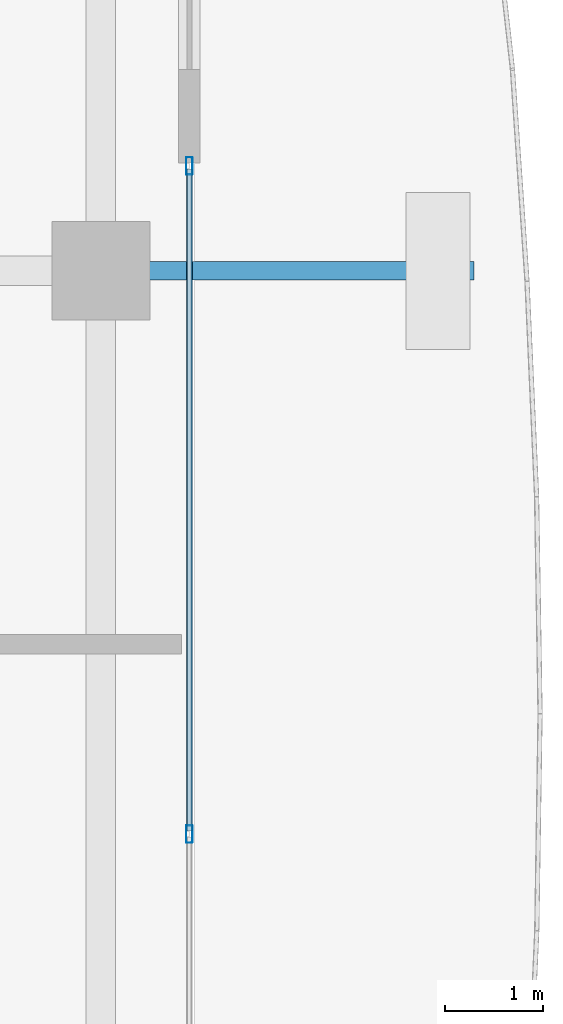
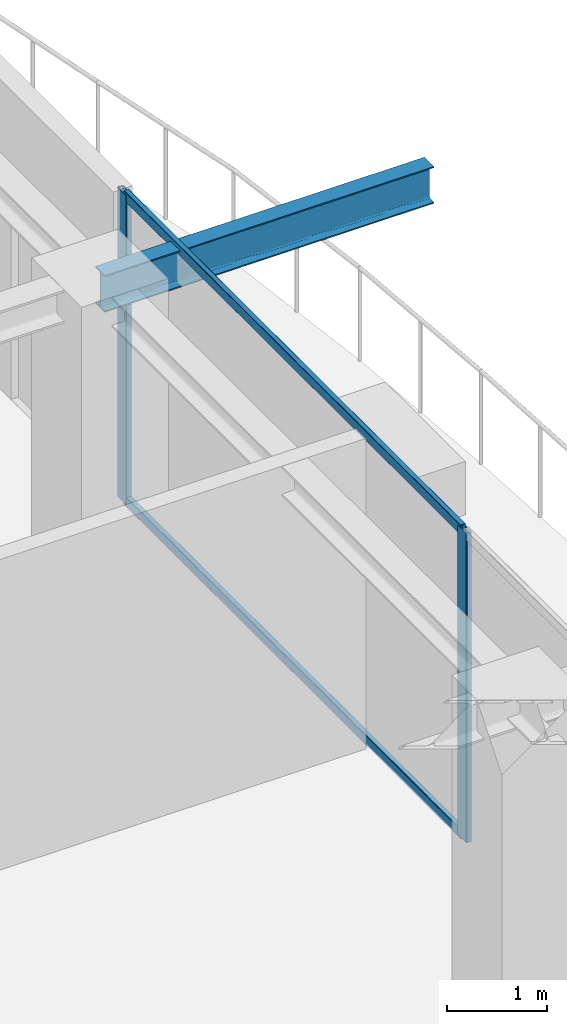
# One storey, part 18 of 42: 4 members, 1 beam, 1 element without a shape of its own.
"""IFC4 building model written with IfcOpenShell, lengths in metres."""

from ifc_helpers import new_model, si_unit, direction, frame, origin, origin_2d, place, context, subcontext, project, spatial, hollow_rectangle, i_section, extrude, source, transform, mapped, material, layer, layer_set, material_profile, profile_set, type_object, element, aggregate, save


model = new_model("IFC4")

# Units and contexts
model_context = context("Model", 3, precision=1e-05, world=origin(), true_north=direction((0.0, 1.0)))
body_context = subcontext(model_context, "Body", "Model", "MODEL_VIEW")
ifc_project = project(units=[si_unit("LENGTHUNIT", "METRE"), si_unit("AREAUNIT", "SQUARE_METRE"), si_unit("VOLUMEUNIT", "CUBIC_METRE"), si_unit("PLANEANGLEUNIT", "RADIAN"), si_unit("MASSUNIT", "GRAM", prefix="KILO")], contexts=[model_context])

# Site, building, storey
site_placement = place(None, origin())
site = spatial("IfcSite", under=ifc_project, at=site_placement, CompositionType="ELEMENT")
building_placement = place(site_placement, origin())
building = spatial("IfcBuilding", under=site, at=building_placement, Name="Serunith Strait Residences", CompositionType="ELEMENT")
storey_placement = place(building_placement, frame((0.0, 0.0, 309.64990234375)))
storey = spatial("IfcBuildingStorey", under=building, at=storey_placement, Name="L77", CompositionType="ELEMENT", Elevation=309.64990234375)

# Beam
ifc_material_1 = material(Name="Steel S355J2", Category="steel")
ifc_material_profile_1 = material_profile(ifc_material_1, i_section(OverallWidth=0.18994140625, OverallDepth=0.449951171875, WebThickness=0.009521484375, FlangeThickness=0.0146484375, FilletRadius=0.02099609375, at=origin_2d()), Name="IPE 450")
ifc_profile_set_1 = profile_set([ifc_material_profile_1], Name="Steel S355J2")
beam_type = type_object("IfcBeamType", Name="BM-IPE450", PredefinedType="JOIST", material=ifc_profile_set_1)
shared_shape_1 = source(origin(), body_context, "Body", "SweptSolid", [
    extrude(i_section(OverallWidth=0.18994140625, OverallDepth=0.449951171875, WebThickness=0.009521484375, FlangeThickness=0.0146484375, FilletRadius=0.02099609375, at=origin_2d()), origin(), (0.0, 0.0, 1.0), 3.800048828125),
])
beam_placement = place(storey_placement, frame((54.699951171875, 29.39990234375, 3.531982421875), z_axis=(1.0, 0.0, 0.0), x_axis=(0.0, 1.0, 0.0)))
element("IfcBeam", 1, at=beam_placement, inside=storey, type_object=beam_type, Name="L78 Cantilevered Balcony Rib TC-E3", PredefinedType="JOIST", context=body_context, shape_type="MappedRepresentation", body=[
    mapped(shared_shape_1, transform((0.0, 0.0, 0.0), scale=1.0)),
])

# Curtain wall, members
ifc_material_2 = material(Name="Brushed Stainless-Silver Aluminium", Category="aluminium")
ifc_layer = layer(ifc_material_2, 0.199951171875, Name="Brushed Stainless-Silver Aluminium")
ifc_layer_set = layer_set([ifc_layer], Name="Brushed Stainless-Silver Aluminium")
curtain_wall_type = type_object("IfcCurtainWallType", Name="CW-SYS5", PredefinedType="NOTDEFINED", material=ifc_layer_set)
curtain_wall_placement = place(storey_placement, origin())
curtain_wall = element("IfcCurtainWall", 2, at=curtain_wall_placement, inside=storey, type_object=curtain_wall_type, Name="L77 E Unitised Fritted Curtain Wall", PredefinedType="NOTDEFINED")
ifc_material_profile_2 = material_profile(ifc_material_2, hollow_rectangle(XDim=0.06494140625, YDim=0.179931640625, WallThickness=0.00341796875, InnerFilletRadius=0.00537109375, OuterFilletRadius=0.0087890625, at=origin_2d()), Name="ALU 180x65x3.5")
ifc_profile_set_2 = profile_set([ifc_material_profile_2], Name="Brushed Stainless-Silver Aluminium")
member_type_1 = type_object("IfcMemberType", Name="CW-SYS5-MULL", PredefinedType="MULLION", material=ifc_profile_set_2)
shared_shape_2 = source(origin(), body_context, "Body", "SweptSolid", [
    extrude(hollow_rectangle(XDim=0.06494140625, YDim=0.179931640625, WallThickness=0.00341796875, InnerFilletRadius=0.00537109375, OuterFilletRadius=0.0087890625, at=origin_2d()), origin(), (0.0, 0.0, 1.0), 3.775146484375),
])
member_1_placement = place(storey_placement, frame((55.60009765625, 23.666748046875, 0.0), z_axis=(0.0, 0.0, 1.0), x_axis=(-1.0, 0.0, 0.0)))
member_1 = element("IfcMember", 3, at=member_1_placement, type_object=member_type_1, Name="CW-5 mullion 3", PredefinedType="MULLION", context=body_context, shape_type="MappedRepresentation", body=[
    mapped(shared_shape_2, transform((0.0, 0.0, 0.0), scale=1.0)),
])
member_2_placement = place(storey_placement, frame((55.60009765625, 30.467529296875, 0.0), z_axis=(0.0, 0.0, 1.0), x_axis=(-1.0, 0.0, 0.0)))
member_2 = element("IfcMember", 4, at=member_2_placement, type_object=member_type_1, Name="CW-5 mullion 4", PredefinedType="MULLION", context=body_context, shape_type="MappedRepresentation", body=[
    mapped(shared_shape_2, transform((0.0, 0.0, 0.0), scale=1.0)),
])
ifc_material_profile_3 = material_profile(ifc_material_2, hollow_rectangle(XDim=0.06005859375, YDim=0.1201171875, WallThickness=0.00341796875, InnerFilletRadius=0.00537109375, OuterFilletRadius=0.0087890625, at=origin_2d()), Name="ALU 120x60x3.5")
ifc_profile_set_3 = profile_set([ifc_material_profile_3], Name="Brushed Stainless-Silver Aluminium")
member_type_2 = type_object("IfcMemberType", Name="CW-SYS5-TRAN", PredefinedType="USERDEFINED", material=ifc_profile_set_3)
shared_shape_3 = source(origin(), body_context, "Body", "SweptSolid", [
    extrude(hollow_rectangle(XDim=0.06005859375, YDim=0.1201171875, WallThickness=0.00341796875, InnerFilletRadius=0.00537109375, OuterFilletRadius=0.0087890625, at=origin_2d()), origin(), (0.0, 0.0, 1.0), 6.73583984375),
])
member_3_placement = place(storey_placement, frame((55.60009765625, 23.69921875, 0.030029296875), z_axis=(0.0, 1.0, 0.0), x_axis=(-1.0, 0.0, 0.0)))
member_3 = element("IfcMember", 5, at=member_3_placement, type_object=member_type_2, Name="CW-5 transom 3.1", ObjectType="TRANSOM", PredefinedType="USERDEFINED", context=body_context, shape_type="MappedRepresentation", body=[
    mapped(shared_shape_3, transform((0.0, 0.0, 0.0), scale=1.0)),
])
member_4_placement = place(storey_placement, frame((55.60009765625, 23.69921875, 3.7451171875), z_axis=(0.0, 1.0, 0.0), x_axis=(-1.0, 0.0, 0.0)))
member_4 = element("IfcMember", 6, at=member_4_placement, type_object=member_type_2, Name="CW-5 transom 3.2", ObjectType="TRANSOM", PredefinedType="USERDEFINED", context=body_context, shape_type="MappedRepresentation", body=[
    mapped(shared_shape_3, transform((0.0, 0.0, 0.0), scale=1.0)),
])
aggregate(curtain_wall, [member_1, member_2, member_3, member_4])

save(model, "model.ifc")
